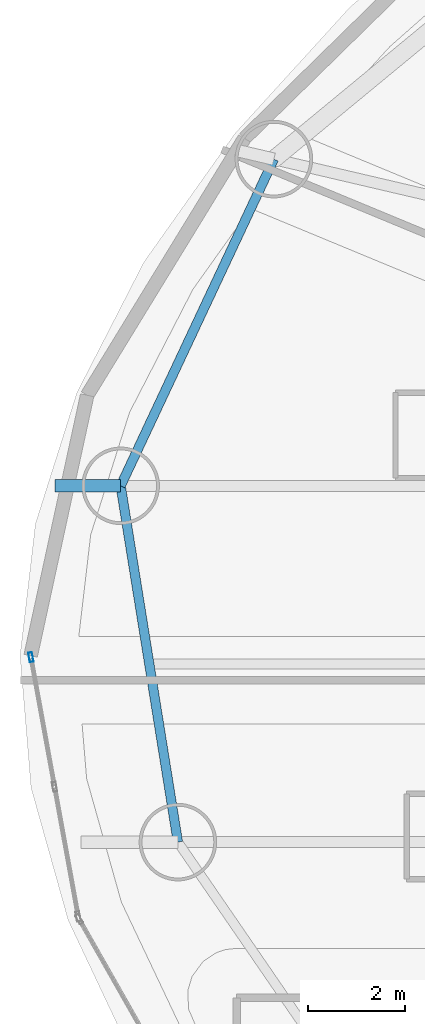
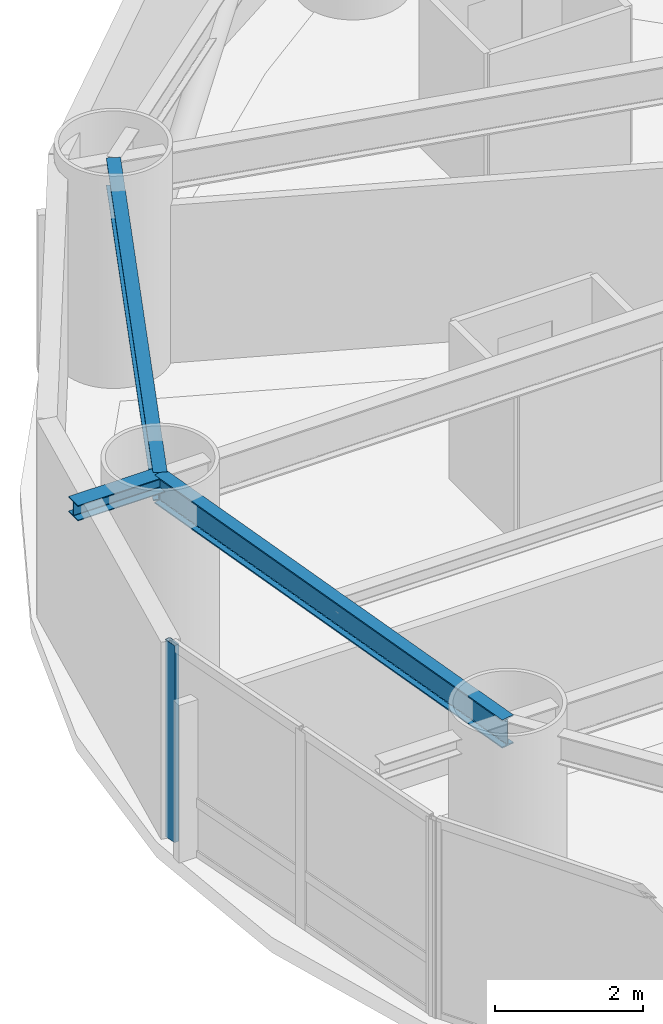
# One storey, part 7 of 27: 3 beams, 1 member, 1 element without a shape of its own.
"""IFC4 building model written with IfcOpenShell, lengths in metres."""

from ifc_helpers import new_model, si_unit, direction, frame, origin, origin_2d, place, context, subcontext, project, spatial, hollow_rectangle, i_section, extrude, material, layer, layer_set, material_profile, profile_set, type_object, element, aggregate, save


model = new_model("IFC4")

# Units and contexts
model_context = context("Model", 3, precision=1e-05, world=origin(), true_north=direction((0.0, 1.0)))
body_context = subcontext(model_context, "Body", "Model", "MODEL_VIEW")
ifc_project = project(units=[si_unit("LENGTHUNIT", "METRE"), si_unit("AREAUNIT", "SQUARE_METRE"), si_unit("VOLUMEUNIT", "CUBIC_METRE"), si_unit("PLANEANGLEUNIT", "RADIAN"), si_unit("MASSUNIT", "GRAM", prefix="KILO")], contexts=[model_context])

# Site, building, storey
site_placement = place(None, origin())
site = spatial("IfcSite", under=ifc_project, at=site_placement, CompositionType="ELEMENT")
building_placement = place(site_placement, origin())
building = spatial("IfcBuilding", under=site, at=building_placement, Name="Bramvorn Convention Spire", CompositionType="ELEMENT")
storey_placement = place(building_placement, frame((0.0, 0.0, 41.39990234375)))
storey = spatial("IfcBuildingStorey", under=building, at=storey_placement, Name="L07", CompositionType="ELEMENT", Elevation=41.39990234375)

# Beams
ifc_material_1 = material(Name="Steel CSA G40.21 Grade 350 (350W)", Category="steel")
ifc_material_profile_1 = material_profile(ifc_material_1, i_section(OverallWidth=0.25390625, OverallDepth=0.2529296875, WebThickness=0.008544921875, FlangeThickness=0.01416015625, FilletRadius=0.011962890625, at=origin_2d()))
ifc_profile_set_1 = profile_set([ifc_material_profile_1], Name="Steel CSA G40.21 Grade 350 (350W) - W250X73")
beam_type_1 = type_object("IfcBeamType", Name="BM-W250X73", PredefinedType="BEAM", material=ifc_profile_set_1)
beam_placement = place(storey_placement, frame((9.480224609375, 30.00830078125, 3.12353515625), z_axis=(-1.0, 0.0, 0.0), x_axis=(0.0, -1.0, 0.0)))
element("IfcBeam", 1, at=beam_placement, inside=storey, type_object=beam_type_1, Name="L07 slab-edge cantilever tip beam MC09", PredefinedType="BEAM", context=body_context, shape_type="SweptSolid", body=[
    extrude(i_section(OverallWidth=0.25390625, OverallDepth=0.2529296875, WebThickness=0.008544921875, FlangeThickness=0.01416015625, FilletRadius=0.011962890625, at=origin_2d()), origin(), (0.0, 0.0, 1.0), 1.355712890625),
])
ifc_material_profile_2 = material_profile(ifc_material_1, i_section(OverallWidth=0.194091796875, OverallDepth=0.468994140625, WebThickness=0.0126953125, FlangeThickness=0.0205078125, FilletRadius=0.01806640625, at=origin_2d()))
ifc_profile_set_2 = profile_set([ifc_material_profile_2], Name="Steel CSA G40.21 Grade 350 (350W) - W460X106")
beam_type_2 = type_object("IfcBeamType", Name="BM-W460X106", PredefinedType="SPANDREL", material=ifc_profile_set_2)
for number, where, z_axis, x_axis, name in (
    (2, (12.64111328125, 36.746337890625, 3.015625), (-0.424701955478, -0.9053332254, 0.0), (0.9053332254, -0.424701955478, 0.0), "L07 mega-column ring beam 08"),
    (3, (9.480224609375, 30.00830078125, 3.015625), (0.158699222824, -0.987326975563, 0.0), (0.987326975563, 0.158699222824, 0.0), "L07 mega-column ring beam 09"),
):
    element("IfcBeam", number, at=place(storey_placement, frame(where, z_axis=z_axis, x_axis=x_axis)), inside=storey, type_object=beam_type_2, Name=name, PredefinedType="SPANDREL", context=body_context, shape_type="SweptSolid", body=[
        extrude(i_section(OverallWidth=0.194091796875, OverallDepth=0.468994140625, WebThickness=0.0126953125, FlangeThickness=0.0205078125, FilletRadius=0.01806640625, at=origin_2d()), origin(), (0.0, 0.0, 1.0), 7.442626953125),
    ])

# Curtain wall, member
ifc_material_2 = material(Name="Anodised Bronze Unitised Curtain Wall", Category="aluminium")
ifc_layer = layer(ifc_material_2, 0.179931640625)
ifc_layer_set = layer_set([ifc_layer], Name="Anodised Bronze Unitised Curtain Wall - CW-HTL-FRIT")
curtain_wall_type = type_object("IfcCurtainWallType", Name="CW-HTL-FRIT", PredefinedType="USERDEFINED", material=ifc_layer_set)
curtain_wall_placement = place(storey_placement, origin())
curtain_wall = element("IfcCurtainWall", 4, at=curtain_wall_placement, inside=storey, type_object=curtain_wall_type, Name="L07 fritted glass curtain wall 13", ObjectType="UNITISED CURTAIN WALL", PredefinedType="USERDEFINED")
ifc_material_3 = material(Name="Anodised Bronze Aluminium 6063-T6", Category="aluminium")
ifc_material_profile_3 = material_profile(ifc_material_3, hollow_rectangle(XDim=0.080078125, YDim=0.199951171875, WallThickness=0.00390625, InnerFilletRadius=0.0009765625, OuterFilletRadius=0.00390625, at=origin_2d()))
ifc_profile_set_3 = profile_set([ifc_material_profile_3], Name="Anodised Bronze Aluminium 6063-T6 - CWM80X200")
member_type = type_object("IfcMemberType", Name="CW-MUL-180", PredefinedType="MULLION", material=ifc_profile_set_3)
member_placement = place(storey_placement, frame((7.629638671875, 26.47412109375, 0.0), z_axis=(0.0, 0.0, 1.0), x_axis=(-0.983767592965, -0.179447270894, 0.0)))
member = element("IfcMember", 5, at=member_placement, type_object=member_type, Name="CW2 mullion 3", PredefinedType="MULLION", context=body_context, shape_type="SweptSolid", body=[
    extrude(hollow_rectangle(XDim=0.080078125, YDim=0.199951171875, WallThickness=0.00390625, InnerFilletRadius=0.0009765625, OuterFilletRadius=0.00390625, at=origin_2d()), origin(), (0.0, 0.0, 1.0), 3.25),
])
aggregate(curtain_wall, [member])

save(model, "model.ifc")
